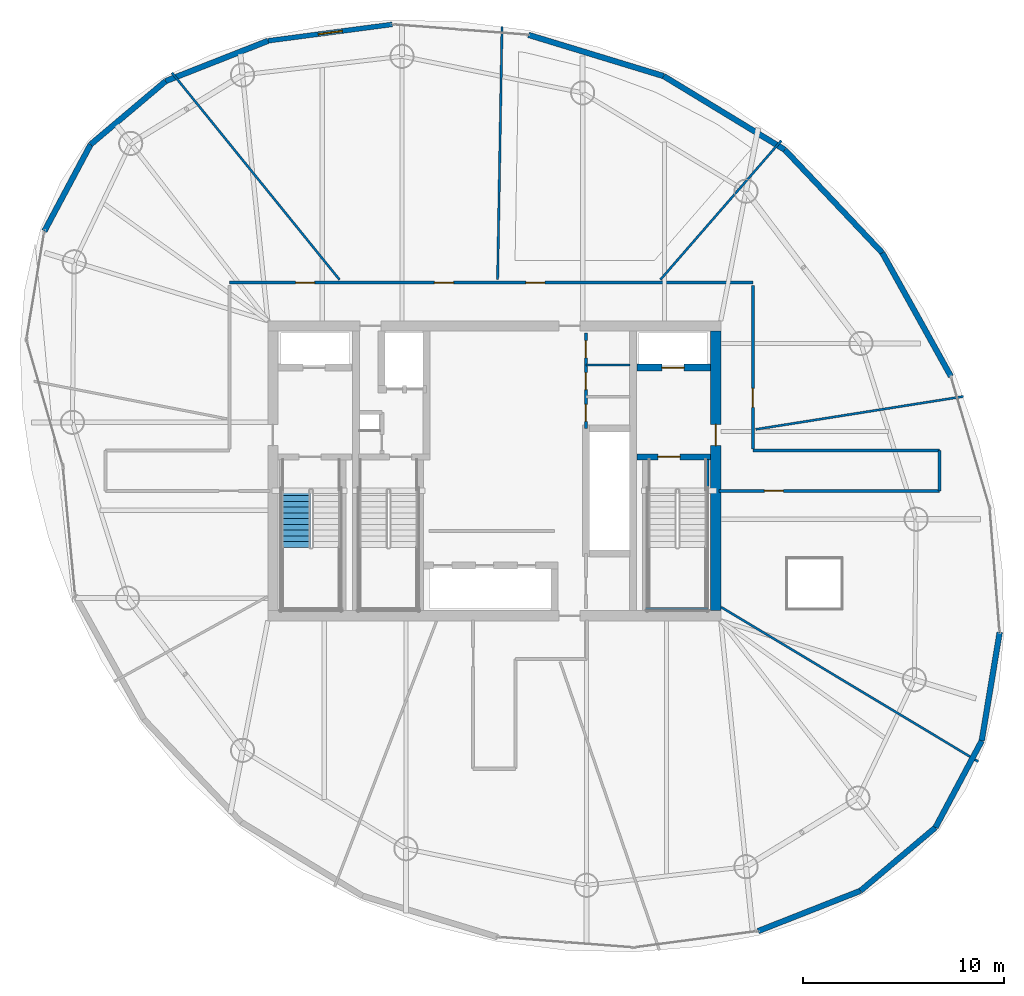
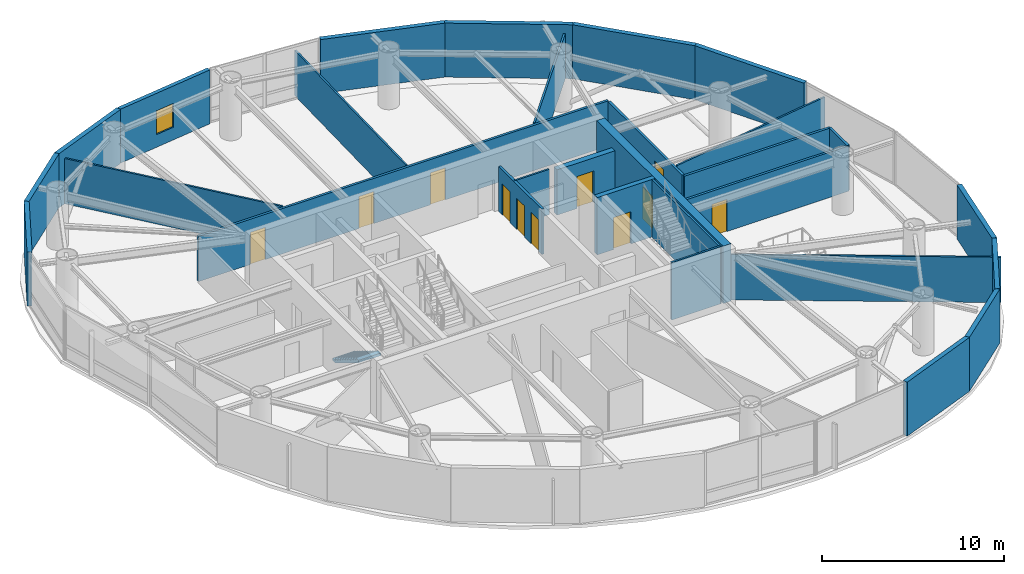
# One storey, part 17 of 21: 29 walls, 11 doors, 1 stair flight, 1 window, 12 openings, 1 element without a shape of its own.
"""IFC4 building model written with IfcOpenShell, lengths in metres."""

from ifc_helpers import new_model, si_unit, direction, frame, frame_2d, origin, place, context, subcontext, project, spatial, polyline, rectangle, outline, extrude, material, layer, layer_set, type_object, element, fill, aggregate, save


model = new_model("IFC4")

# Units and contexts
model_context = context("Model", 3, precision=1e-05, world=origin(), true_north=direction((0.0, 1.0)))
body_context = subcontext(model_context, "Body", "Model", "MODEL_VIEW")
ifc_project = project(units=[si_unit("LENGTHUNIT", "METRE"), si_unit("AREAUNIT", "SQUARE_METRE"), si_unit("VOLUMEUNIT", "CUBIC_METRE"), si_unit("PLANEANGLEUNIT", "RADIAN"), si_unit("MASSUNIT", "GRAM", prefix="KILO")], contexts=[model_context])

# Site, building, storey
site_placement = place(None, origin())
site = spatial("IfcSite", under=ifc_project, at=site_placement, CompositionType="ELEMENT")
building_placement = place(site_placement, origin())
building = spatial("IfcBuilding", under=site, at=building_placement, Name="Bramvorn Convention Spire", CompositionType="ELEMENT")
storey_placement = place(building_placement, frame((0.0, 0.0, 186.60009765625)))
storey = spatial("IfcBuildingStorey", under=building, at=storey_placement, Name="L47", CompositionType="ELEMENT", Elevation=186.60009765625)

# Wall, opening, door
ifc_material_1 = material(Name="Concrete C50/60", Category="concrete")
ifc_layer_1 = layer(ifc_material_1, 0.5)
ifc_layer_set_1 = layer_set([ifc_layer_1], Name="Concrete C50/60 - WL-CORE-500")
wall_type_1 = type_object("IfcWallType", Name="WL-CORE-500", PredefinedType="SHEAR", material=ifc_layer_set_1)
wall_1_placement = place(storey_placement, frame((49.0, 19.050048828125, 0.0), z_axis=(0.0, 0.0, 1.0), x_axis=(0.0, 1.0, 0.0)))
wall_1 = element("IfcWall", 1, at=wall_1_placement, inside=storey, type_object=wall_type_1, Name="L47 East RC core shear wall", PredefinedType="SHEAR", context=body_context, shape_type="SweptSolid", body=[
    extrude(rectangle(XDim=13.89990234375, YDim=0.5, at=frame_2d((6.949951171875, 0.0))), origin(), (0.0, 0.0, 1.0), 3.849853515625),
])
opening_1_placement = place(wall_1_placement, frame((8.199951171875, 0.0, 0.0)))
opening_1 = element("IfcOpeningElement", 2, at=opening_1_placement, cuts=wall_1, Name="Opening DL-105", PredefinedType="OPENING", context=body_context, shape_type="SweptSolid", body=[
    extrude(rectangle(XDim=1.050048828125, YDim=2.14990234375, at=frame_2d((0.52490234375, 1.074951171875))), frame((0.0, 0.260009765625, 0.0), z_axis=(0.0, -1.0, 0.0), x_axis=(1.0, 0.0, 0.0)), (0.0, 0.0, 1.0), 0.52001953125),
])
ifc_material_2 = material(Name="Smoke-Sealed Fire Lobby Timber-Core Door", Category="wood")
door_type_1 = type_object("IfcDoorType", Name="DR-LOBBY-1050", OperationType="NOTDEFINED", PredefinedType="DOOR", material=ifc_material_2)
door_1_placement = place(opening_1_placement, origin())
door_1 = element("IfcDoor", 3, at=door_1_placement, inside=storey, type_object=door_type_1, Name="L47 East Firefighting Lobby corridor door", OperationType="SINGLE_SWING_LEFT", OverallHeight=2.14990234375, OverallWidth=1.050048828125, PredefinedType="DOOR", context=body_context, shape_type="SweptSolid", body=[
    extrude(rectangle(XDim=1.050048828125, YDim=2.14990234375, at=frame_2d((0.52490234375, 1.074951171875))), frame((0.0, 0.02490234375, 0.0), z_axis=(0.0, -1.0, 0.0), x_axis=(1.0, 0.0, 0.0)), (0.0, 0.0, 1.0), 0.050048828125),
])
fill(opening_1, door_1)

ifc_layer_2 = layer(ifc_material_1, 0.35009765625)
ifc_layer_set_2 = layer_set([ifc_layer_2], Name="Concrete C50/60 - WL-CORE-INT-350")
wall_type_2 = type_object("IfcWallType", Name="WL-CORE-INT-350", PredefinedType="SHEAR", material=ifc_layer_set_2)
wall_2_placement = place(storey_placement, frame((45.080078125, 31.1201171875, 0.0), z_axis=(0.0, 0.0, 1.0), x_axis=(1.0, 0.0, 0.0)))
wall_2 = element("IfcWall", 4, at=wall_2_placement, inside=storey, type_object=wall_type_2, Name="L47 FE2 shaft front wall", PredefinedType="SHEAR", context=body_context, shape_type="SweptSolid", body=[
    extrude(rectangle(XDim=3.669921875, YDim=0.35009765625, at=frame_2d((1.8349609375, 0.0))), origin(), (0.0, 0.0, 1.0), 3.034912109375),
])
opening_2_placement = place(wall_2_placement, frame((1.25, 0.0, 0.0)))
opening_2 = element("IfcOpeningElement", 5, at=opening_2_placement, cuts=wall_2, Name="Opening LD-110", PredefinedType="OPENING", context=body_context, shape_type="SweptSolid", body=[
    extrude(rectangle(XDim=1.10009765625, YDim=2.14990234375, at=frame_2d((0.550048828125, 1.074951171875))), frame((0.0, 0.18505859375, 0.0), z_axis=(0.0, -1.0, 0.0), x_axis=(1.0, 0.0, 0.0)), (0.0, 0.0, 1.0), 0.3701171875),
])
ifc_material_3 = material(Name="Firefighting & Service Lift Sliding Landing Door", Category="steel")
door_type_2 = type_object("IfcDoorType", Name="DR-LIFT-LD-1100", OperationType="NOTDEFINED", PredefinedType="DOOR", material=ifc_material_3)
door_2_placement = place(opening_2_placement, origin())
door_2 = element("IfcDoor", 6, at=door_2_placement, inside=storey, type_object=door_type_2, Name="L47 Lift FE2 Sliding Landing Door", OperationType="SLIDING_TO_LEFT", OverallHeight=2.14990234375, OverallWidth=1.10009765625, PredefinedType="DOOR", context=body_context, shape_type="SweptSolid", body=[
    extrude(rectangle(XDim=1.10009765625, YDim=2.14990234375, at=frame_2d((0.550048828125, 1.074951171875))), frame((0.0, 0.02490234375, 0.0), z_axis=(0.0, -1.0, 0.0), x_axis=(1.0, 0.0, 0.0)), (0.0, 0.0, 1.0), 0.050048828125),
])
fill(opening_2, door_2)

# Walls
ifc_material_4 = material(Name="Precast Concrete C40/50 with Bronze Terracotta Rainscreen", Category="masonry")
ifc_layer_3 = layer(ifc_material_4, 0.300048828125)
ifc_layer_set_3 = layer_set([ifc_layer_3], Name="Precast Concrete C40/50 with Bronze Terracotta Rainscreen - WL-EXT-BRONZE-300")
wall_type_3 = type_object("IfcWallType", Name="WL-EXT-BRONZE-300", PredefinedType="SOLIDWALL", material=ifc_layer_set_3)
wall_3_placement = place(storey_placement, frame((62.2109375, 12.587158203125, 0.0), z_axis=(0.0, 0.0, 1.0), x_axis=(-0.470767526519, -0.88225729579, 0.0)))
element("IfcWall", 7, at=wall_3_placement, inside=storey, type_object=wall_type_3, Name="L47 expressed bronze Gothic lancet pier wall 01", PredefinedType="SOLIDWALL", context=body_context, shape_type="SweptSolid", body=[
    extrude(rectangle(XDim=4.87646484375, YDim=0.280029296875, at=frame_2d((2.438232421875, 0.0))), origin(), (0.0, 0.0, 1.0), 3.619873046875),
])
wall_4_placement = place(storey_placement, frame((63.10302734375, 17.978271484375, 0.0), z_axis=(0.0, 0.0, 1.0), x_axis=(-0.163254148623, -0.986584047589, 0.0)))
element("IfcWall", 8, at=wall_4_placement, inside=storey, type_object=wall_type_3, Name="L47 expressed bronze Gothic lancet pier wall 02", PredefinedType="SOLIDWALL", context=body_context, shape_type="SweptSolid", body=[
    extrude(rectangle(XDim=5.46435546875, YDim=0.280029296875, at=frame_2d((2.732177734375, 0.0))), origin(), (0.0, 0.0, 1.0), 3.619873046875),
])
wall_5_placement = place(storey_placement, frame((57.271728515625, 36.82421875, 0.0), z_axis=(0.0, 0.0, 1.0), x_axis=(0.485740406288, -0.874103116171, 0.0)))
element("IfcWall", 9, at=wall_5_placement, inside=storey, type_object=wall_type_3, Name="L47 expressed bronze Gothic lancet pier wall 05", PredefinedType="SOLIDWALL", context=body_context, shape_type="SweptSolid", body=[
    extrude(rectangle(XDim=7.017578125, YDim=0.280029296875, at=frame_2d((3.5087890625, 0.0))), origin(), (0.0, 0.0, 1.0), 3.619873046875),
])
for number, where, z_axis, x_axis, name in (
    (10, (52.430419921875, 41.943115234375, 0.0), (0.0, 0.0, 1.0), (0.687133126729, -0.726531531423, 0.0), "L47 expressed bronze Gothic lancet pier wall 06"),
    (11, (46.410400390625, 45.603759765625, 0.0), (0.0, 0.0, 1.0), (0.854432664207, -0.519562144826, 0.0), "L47 expressed bronze Gothic lancet pier wall 07"),
):
    element("IfcWall", number, at=place(storey_placement, frame(where, z_axis=z_axis, x_axis=x_axis)), inside=storey, type_object=wall_type_3, Name=name, PredefinedType="SOLIDWALL", context=body_context, shape_type="SweptSolid", body=[
        extrude(rectangle(XDim=7.045654296875, YDim=0.280029296875, at=frame_2d((3.52294921875, 0.0))), origin(), (0.0, 0.0, 1.0), 3.619873046875),
    ])
wall_6_placement = place(storey_placement, frame((39.697998046875, 47.65087890625, 0.0), z_axis=(0.0, 0.0, 1.0), x_axis=(0.956506455403, -0.291711159837, 0.0)))
element("IfcWall", 12, at=wall_6_placement, inside=storey, type_object=wall_type_3, Name="L47 expressed bronze Gothic lancet pier wall 08", PredefinedType="SOLIDWALL", context=body_context, shape_type="SweptSolid", body=[
    extrude(rectangle(XDim=7.017578125, YDim=0.280029296875, at=frame_2d((3.5087890625, 0.0))), origin(), (0.0, 0.0, 1.0), 3.619873046875),
])

# Wall, opening, window
wall_7_placement = place(storey_placement, frame((26.760986328125, 47.355224609375, 0.0), z_axis=(0.0, 0.0, 1.0), x_axis=(0.991381672215, 0.131005267052, 0.0)))
wall_7 = element("IfcWall", 13, at=wall_7_placement, inside=storey, type_object=wall_type_3, Name="L47 bronze ceramic-frit spandrel & operable window bay 10", PredefinedType="SOLIDWALL", context=body_context, shape_type="SweptSolid", body=[
    extrude(rectangle(XDim=6.226318359375, YDim=0.239990234375, at=frame_2d((3.11328125, 0.0))), origin(), (0.0, 0.0, 1.0), 3.619873046875),
])
opening_3_placement = place(wall_7_placement, frame((2.51318359375, 0.0, 0.85009765625)))
opening_3 = element("IfcOpeningElement", 14, at=opening_3_placement, cuts=wall_7, Name="Opening WN01", PredefinedType="OPENING", context=body_context, shape_type="SweptSolid", body=[
    extrude(rectangle(XDim=1.199951171875, YDim=1.60009765625, at=frame_2d((0.60009765625, 0.800048828125))), frame((0.0, 0.1298828125, 0.0), z_axis=(0.0, -1.0, 0.0), x_axis=(1.0, 0.0, 0.0)), (0.0, 0.0, 1.0), 0.260009765625),
])
ifc_material_5 = material(Name="Thermally Broken Bronze Aluminium & Triple Low-E Glass", Category="aluminium")
window_type = type_object("IfcWindowType", Name="WN-OP-1200X1600", PartitioningType="SINGLE_PANEL", PredefinedType="WINDOW", material=ifc_material_5)
window_placement = place(opening_3_placement, origin())
window = element("IfcWindow", 15, at=window_placement, inside=storey, type_object=window_type, Name="L47 operable parallel-vent window 10", OverallHeight=1.60009765625, OverallWidth=1.199951171875, PartitioningType="SINGLE_PANEL", PredefinedType="WINDOW", context=body_context, shape_type="SweptSolid", body=[
    extrude(rectangle(XDim=1.199951171875, YDim=1.60009765625, at=frame_2d((0.60009765625, 0.800048828125))), frame((0.0, 0.030029296875, 0.0), z_axis=(0.0, -1.0, 0.0), x_axis=(1.0, 0.0, 0.0)), (0.0, 0.0, 1.0), 0.06005859375),
])
fill(opening_3, window)

# Walls
wall_8_placement = place(storey_placement, frame((21.676513671875, 45.352783203125, 0.0), z_axis=(0.0, 0.0, 1.0), x_axis=(0.930441630327, 0.366440135021, 0.0)))
element("IfcWall", 16, at=wall_8_placement, inside=storey, type_object=wall_type_3, Name="L47 expressed bronze Gothic lancet pier wall 11", PredefinedType="SOLIDWALL", context=body_context, shape_type="SweptSolid", body=[
    extrude(rectangle(XDim=5.464599609375, YDim=0.280029296875, at=frame_2d((2.732421875, 0.0))), origin(), (0.0, 0.0, 1.0), 3.619873046875),
])
wall_9_placement = place(storey_placement, frame((17.950927734375, 42.206298828125, 0.0), z_axis=(0.0, 0.0, 1.0), x_axis=(0.763986040793, 0.645232771543, 0.0)))
element("IfcWall", 17, at=wall_9_placement, inside=storey, type_object=wall_type_3, Name="L47 expressed bronze Gothic lancet pier wall 12", PredefinedType="SOLIDWALL", context=body_context, shape_type="SweptSolid", body=[
    extrude(rectangle(XDim=4.87646484375, YDim=0.280029296875, at=frame_2d((2.438232421875, 0.0))), origin(), (0.0, 0.0, 1.0), 3.619873046875),
])
wall_10_placement = place(storey_placement, frame((15.655517578125, 37.904296875, 0.0), z_axis=(0.0, 0.0, 1.0), x_axis=(0.470749349353, 0.882266994783, 0.0)))
element("IfcWall", 18, at=wall_10_placement, inside=storey, type_object=wall_type_3, Name="L47 expressed bronze Gothic lancet pier wall 13", PredefinedType="SOLIDWALL", context=body_context, shape_type="SweptSolid", body=[
    extrude(rectangle(XDim=4.8759765625, YDim=0.280029296875, at=frame_2d((2.43798828125, 0.0))), origin(), (0.0, 0.0, 1.0), 3.619873046875),
])
wall_11_placement = place(storey_placement, frame((56.18994140625, 5.138427734375, 0.0), z_axis=(0.0, 0.0, 1.0), x_axis=(-0.930435630808, -0.366455368254, 0.0)))
element("IfcWall", 19, at=wall_11_placement, inside=storey, type_object=wall_type_3, Name="L47 expressed bronze Gothic lancet pier wall 23", PredefinedType="SOLIDWALL", context=body_context, shape_type="SweptSolid", body=[
    extrude(rectangle(XDim=5.46435546875, YDim=0.280029296875, at=frame_2d((2.732177734375, 0.0))), origin(), (0.0, 0.0, 1.0), 3.619873046875),
])
wall_12_placement = place(storey_placement, frame((59.915283203125, 8.284912109375, 0.0), z_axis=(0.0, 0.0, 1.0), x_axis=(-0.76396519643, -0.645257451444, 0.0)))
element("IfcWall", 20, at=wall_12_placement, inside=storey, type_object=wall_type_3, Name="L47 expressed bronze Gothic lancet pier wall 24", PredefinedType="SOLIDWALL", context=body_context, shape_type="SweptSolid", body=[
    extrude(rectangle(XDim=4.876220703125, YDim=0.280029296875, at=frame_2d((2.43798828125, 0.0))), origin(), (0.0, 0.0, 1.0), 3.619873046875),
])
ifc_material_6 = material(Name="Lightweight En-Suite & Wet-Wall Partition", Category="gypsum")
ifc_layer_4 = layer(ifc_material_6, 0.110107421875)
ifc_layer_set_4 = layer_set([ifc_layer_4], Name="Lightweight En-Suite & Wet-Wall Partition - WL-PART-110")
wall_type_4 = type_object("IfcWallType", Name="WL-PART-110", PredefinedType="PARTITIONING", material=ifc_layer_set_4)
wall_13_placement = place(storey_placement, frame((42.550048828125, 31.260009765625, 0.0), z_axis=(0.0, 0.0, 1.0), x_axis=(1.0, 0.0, 0.0)))
element("IfcWall", 21, at=wall_13_placement, inside=storey, type_object=wall_type_4, Name="L47 KC NE div 2", PredefinedType="PARTITIONING", context=body_context, shape_type="SweptSolid", body=[
    extrude(rectangle(XDim=2.199951171875, YDim=0.110107421875, at=frame_2d((1.10009765625, 0.0))), origin(), (0.0, 0.0, 1.0), 3.034912109375),
])
wall_14_placement = place(storey_placement, frame((50.989990234375, 28.057373046875, 0.0), z_axis=(0.0, 0.0, 1.0), x_axis=(0.987688162436, 0.156435589889, 0.0)))
element("IfcWall", 22, at=wall_14_placement, inside=storey, type_object=wall_type_4, Name="L47 Tenant suite partition 1", PredefinedType="PARTITIONING", context=body_context, shape_type="SweptSolid", body=[
    extrude(rectangle(XDim=10.4423828125, YDim=0.110107421875, at=frame_2d((5.22119140625, 0.0))), origin(), (0.0, 0.0, 1.0), 3.034912109375),
])
wall_15_placement = place(storey_placement, frame((46.24951171875, 35.489990234375, 0.0), z_axis=(0.0, 0.0, 1.0), x_axis=(0.656070387191, 0.75469970654, 0.0)))
element("IfcWall", 23, at=wall_15_placement, inside=storey, type_object=wall_type_4, Name="L47 Tenant suite partition 2", PredefinedType="PARTITIONING", context=body_context, shape_type="SweptSolid", body=[
    extrude(rectangle(XDim=9.1513671875, YDim=0.110107421875, at=frame_2d((4.57568359375, 0.0))), origin(), (0.0, 0.0, 1.0), 3.034912109375),
])
wall_16_placement = place(storey_placement, frame((38.16552734375, 35.489990234375, 0.0), z_axis=(0.0, 0.0, 1.0), x_axis=(0.017473474315, 0.999847327193, 0.0)))
element("IfcWall", 24, at=wall_16_placement, inside=storey, type_object=wall_type_4, Name="L47 Tenant suite partition 3", PredefinedType="PARTITIONING", context=body_context, shape_type="SweptSolid", body=[
    extrude(rectangle(XDim=12.5888671875, YDim=0.110107421875, at=frame_2d((6.29443359375, 0.0))), origin(), (0.0, 0.0, 1.0), 3.034912109375),
])
wall_17_placement = place(storey_placement, frame((30.315185546875, 35.489990234375, 0.0), z_axis=(0.0, 0.0, 1.0), x_axis=(-0.629321357583, 0.777145178773, 0.0)))
element("IfcWall", 25, at=wall_17_placement, inside=storey, type_object=wall_type_4, Name="L47 Tenant suite partition 4", PredefinedType="PARTITIONING", context=body_context, shape_type="SweptSolid", body=[
    extrude(rectangle(XDim=13.232421875, YDim=0.110107421875, at=frame_2d((6.6162109375, 0.0))), origin(), (0.0, 0.0, 1.0), 3.034912109375),
])
wall_18_placement = place(storey_placement, frame((49.27001953125, 19.228271484375, 0.0), z_axis=(0.0, 0.0, 1.0), x_axis=(0.857170387161, -0.515032938145, 0.0)))
element("IfcWall", 26, at=wall_18_placement, inside=storey, type_object=wall_type_4, Name="L47 Tenant suite partition 9", PredefinedType="PARTITIONING", context=body_context, shape_type="SweptSolid", body=[
    extrude(rectangle(XDim=14.901611328125, YDim=0.110107421875, at=frame_2d((7.45068359375, 0.0))), origin(), (0.0, 0.0, 1.0), 3.034912109375),
])

# Wall, openings, doors
ifc_material_7 = material(Name="Acoustic Metal-Stud Tenant/Corridor Partition", Category="gypsum")
ifc_layer_5 = layer(ifc_material_7, 0.14990234375)
ifc_layer_set_5 = layer_set([ifc_layer_5], Name="Acoustic Metal-Stud Tenant/Corridor Partition - WL-PART-150")
wall_type_5 = type_object("IfcWallType", Name="WL-PART-150", PredefinedType="PARTITIONING", material=ifc_layer_set_5)
wall_19_placement = place(storey_placement, frame((42.550048828125, 28.10009765625, 0.0), z_axis=(0.0, 0.0, 1.0), x_axis=(0.0, 1.0, 0.0)))
wall_19 = element("IfcWall", 27, at=wall_19_placement, inside=storey, type_object=wall_type_5, Name="L47 KC NE wall", PredefinedType="PARTITIONING", context=body_context, shape_type="SweptSolid", body=[
    extrude(rectangle(XDim=4.75, YDim=0.14990234375, at=frame_2d((2.375, 0.0))), origin(), (0.0, 0.0, 1.0), 3.034912109375),
])
opening_4_placement = place(wall_19_placement, frame((0.35009765625, 0.0, 0.0)))
opening_4 = element("IfcOpeningElement", 28, at=opening_4_placement, cuts=wall_19, Name="Opening DC-085", PredefinedType="OPENING", context=body_context, shape_type="SweptSolid", body=[
    extrude(rectangle(XDim=0.85009765625, YDim=2.10009765625, at=frame_2d((0.425048828125, 1.050048828125))), frame((0.0, 0.0849609375, 0.0), z_axis=(0.0, -1.0, 0.0), x_axis=(1.0, 0.0, 0.0)), (0.0, 0.0, 1.0), 0.169921875),
])
opening_5_placement = place(wall_19_placement, frame((1.929931640625, 0.0, 0.0)))
opening_5 = element("IfcOpeningElement", 29, at=opening_5_placement, cuts=wall_19, Name="Opening DC-085", PredefinedType="OPENING", context=body_context, shape_type="SweptSolid", body=[
    extrude(rectangle(XDim=0.85009765625, YDim=2.10009765625, at=frame_2d((0.425048828125, 1.050048828125))), frame((0.0, 0.0849609375, 0.0), z_axis=(0.0, -1.0, 0.0), x_axis=(1.0, 0.0, 0.0)), (0.0, 0.0, 1.0), 0.169921875),
])
opening_6_placement = place(wall_19_placement, frame((3.510009765625, 0.0, 0.0)))
opening_6 = element("IfcOpeningElement", 30, at=opening_6_placement, cuts=wall_19, Name="Opening DC-085", PredefinedType="OPENING", context=body_context, shape_type="SweptSolid", body=[
    extrude(rectangle(XDim=0.85009765625, YDim=2.10009765625, at=frame_2d((0.425048828125, 1.050048828125))), frame((0.0, 0.0849609375, 0.0), z_axis=(0.0, -1.0, 0.0), x_axis=(1.0, 0.0, 0.0)), (0.0, 0.0, 1.0), 0.169921875),
])
ifc_material_8 = material(Name="Fire-Rated Core Washroom & IDF Door", Category="wood")
door_type_3 = type_object("IfcDoorType", Name="DR-CORE-850", OperationType="NOTDEFINED", PredefinedType="DOOR", material=ifc_material_8)
door_3_placement = place(opening_4_placement, origin())
door_3 = element("IfcDoor", 31, at=door_3_placement, inside=storey, type_object=door_type_3, Name="L47 Accessible Core Restroom door", OperationType="SINGLE_SWING_LEFT", OverallHeight=2.10009765625, OverallWidth=0.85009765625, PredefinedType="DOOR", context=body_context, shape_type="SweptSolid", body=[
    extrude(rectangle(XDim=0.85009765625, YDim=2.10009765625, at=frame_2d((0.425048828125, 1.050048828125))), frame((0.0, 0.02490234375, 0.0), z_axis=(0.0, -1.0, 0.0), x_axis=(1.0, 0.0, 0.0)), (0.0, 0.0, 1.0), 0.050048828125),
])
fill(opening_4, door_3)
door_4_placement = place(opening_5_placement, origin())
door_4 = element("IfcDoor", 32, at=door_4_placement, inside=storey, type_object=door_type_3, Name="L47 Tenant Pantry & Copy Centre door", OperationType="SINGLE_SWING_LEFT", OverallHeight=2.10009765625, OverallWidth=0.85009765625, PredefinedType="DOOR", context=body_context, shape_type="SweptSolid", body=[
    extrude(rectangle(XDim=0.85009765625, YDim=2.10009765625, at=frame_2d((0.425048828125, 1.050048828125))), frame((0.0, 0.02490234375, 0.0), z_axis=(0.0, -1.0, 0.0), x_axis=(1.0, 0.0, 0.0)), (0.0, 0.0, 1.0), 0.050048828125),
])
fill(opening_5, door_4)
door_5_placement = place(opening_6_placement, origin())
door_5 = element("IfcDoor", 33, at=door_5_placement, inside=storey, type_object=door_type_3, Name="L47 Core Comms Closet door", OperationType="SINGLE_SWING_LEFT", OverallHeight=2.10009765625, OverallWidth=0.85009765625, PredefinedType="DOOR", context=body_context, shape_type="SweptSolid", body=[
    extrude(rectangle(XDim=0.85009765625, YDim=2.10009765625, at=frame_2d((0.425048828125, 1.050048828125))), frame((0.0, 0.02490234375, 0.0), z_axis=(0.0, -1.0, 0.0), x_axis=(1.0, 0.0, 0.0)), (0.0, 0.0, 1.0), 0.050048828125),
])
fill(opening_6, door_5)

wall_20_placement = place(storey_placement, frame((24.85009765625, 35.35009765625, 0.0), z_axis=(0.0, 0.0, 1.0), x_axis=(1.0, 0.0, 0.0)))
wall_20 = element("IfcWall", 34, at=wall_20_placement, inside=storey, type_object=wall_type_5, Name="L47 North gallery wall", PredefinedType="PARTITIONING", context=body_context, shape_type="SweptSolid", body=[
    extrude(rectangle(XDim=26.0, YDim=0.14990234375, at=frame_2d((13.0, 0.0))), origin(), (0.0, 0.0, 1.0), 3.034912109375),
])
opening_7_placement = place(wall_20_placement, frame((14.714599609375, 0.0, 0.0)))
opening_7 = element("IfcOpeningElement", 35, at=opening_7_placement, cuts=wall_20, Name="Opening DH-095", PredefinedType="OPENING", context=body_context, shape_type="SweptSolid", body=[
    extrude(rectangle(XDim=0.949951171875, YDim=2.14990234375, at=frame_2d((0.47509765625, 1.074951171875))), frame((0.0, 0.0849609375, 0.0), z_axis=(0.0, -1.0, 0.0), x_axis=(1.0, 0.0, 0.0)), (0.0, 0.0, 1.0), 0.169921875),
])
opening_8_placement = place(wall_20_placement, frame((10.180908203125, 0.0, 0.0)))
opening_8 = element("IfcOpeningElement", 36, at=opening_8_placement, cuts=wall_20, Name="Opening DH-095", PredefinedType="OPENING", context=body_context, shape_type="SweptSolid", body=[
    extrude(rectangle(XDim=0.949951171875, YDim=2.14990234375, at=frame_2d((0.47509765625, 1.074951171875))), frame((0.0, 0.0849609375, 0.0), z_axis=(0.0, -1.0, 0.0), x_axis=(1.0, 0.0, 0.0)), (0.0, 0.0, 1.0), 0.169921875),
])
opening_9_placement = place(wall_20_placement, frame((3.280517578125, 0.0, 0.0)))
opening_9 = element("IfcOpeningElement", 37, at=opening_9_placement, cuts=wall_20, Name="Opening DH-095", PredefinedType="OPENING", context=body_context, shape_type="SweptSolid", body=[
    extrude(rectangle(XDim=0.949951171875, YDim=2.14990234375, at=frame_2d((0.47509765625, 1.074951171875))), frame((0.0, 0.0849609375, 0.0), z_axis=(0.0, -1.0, 0.0), x_axis=(1.0, 0.0, 0.0)), (0.0, 0.0, 1.0), 0.169921875),
])
ifc_material_9 = material(Name="Solid-Core Acoustic Guestroom Entry Door", Category="wood")
door_type_4 = type_object("IfcDoorType", Name="DR-HOTEL-950", OperationType="NOTDEFINED", PredefinedType="DOOR", material=ifc_material_9)
door_6_placement = place(opening_7_placement, origin())
door_6 = element("IfcDoor", 38, at=door_6_placement, inside=storey, type_object=door_type_4, Name="L47 Conference Meeting Room 2 2 door", OperationType="SINGLE_SWING_LEFT", OverallHeight=2.14990234375, OverallWidth=0.949951171875, PredefinedType="DOOR", context=body_context, shape_type="SweptSolid", body=[
    extrude(rectangle(XDim=0.949951171875, YDim=2.14990234375, at=frame_2d((0.47509765625, 1.074951171875))), frame((0.0, 0.02490234375, 0.0), z_axis=(0.0, -1.0, 0.0), x_axis=(1.0, 0.0, 0.0)), (0.0, 0.0, 1.0), 0.050048828125),
])
fill(opening_7, door_6)
door_7_placement = place(opening_8_placement, origin())
door_7 = element("IfcDoor", 39, at=door_7_placement, inside=storey, type_object=door_type_4, Name="L47 Conference Meeting Room 3 3 door", OperationType="SINGLE_SWING_RIGHT", OverallHeight=2.14990234375, OverallWidth=0.949951171875, PredefinedType="DOOR", context=body_context, shape_type="SweptSolid", body=[
    extrude(rectangle(XDim=0.949951171875, YDim=2.14990234375, at=frame_2d((0.47509765625, 1.074951171875))), frame((0.0, 0.02490234375, 0.0), z_axis=(0.0, -1.0, 0.0), x_axis=(1.0, 0.0, 0.0)), (0.0, 0.0, 1.0), 0.050048828125),
])
fill(opening_8, door_7)
door_8_placement = place(opening_9_placement, origin())
door_8 = element("IfcDoor", 40, at=door_8_placement, inside=storey, type_object=door_type_4, Name="L47 Sky Garden Lounge door", OperationType="SINGLE_SWING_LEFT", OverallHeight=2.14990234375, OverallWidth=0.949951171875, PredefinedType="DOOR", context=body_context, shape_type="SweptSolid", body=[
    extrude(rectangle(XDim=0.949951171875, YDim=2.14990234375, at=frame_2d((0.47509765625, 1.074951171875))), frame((0.0, 0.02490234375, 0.0), z_axis=(0.0, -1.0, 0.0), x_axis=(1.0, 0.0, 0.0)), (0.0, 0.0, 1.0), 0.050048828125),
])
fill(opening_9, door_8)

# Wall, opening, door
wall_21_placement = place(storey_placement, frame((50.85009765625, 27.080078125, 0.0), z_axis=(0.0, 0.0, 1.0), x_axis=(0.0, 1.0, 0.0)))
wall_21 = element("IfcWall", 41, at=wall_21_placement, inside=storey, type_object=wall_type_5, Name="L47 NE gallery cheek", PredefinedType="PARTITIONING", context=body_context, shape_type="SweptSolid", body=[
    extrude(rectangle(XDim=8.119873046875, YDim=0.14990234375, at=frame_2d((4.06005859375, 0.0))), origin(), (0.0, 0.0, 1.0), 3.034912109375),
])
opening_10_placement = place(wall_21_placement, frame((2.0634765625, 0.0, 0.0)))
opening_10 = element("IfcOpeningElement", 42, at=opening_10_placement, cuts=wall_21, Name="Opening DH-095", PredefinedType="OPENING", context=body_context, shape_type="SweptSolid", body=[
    extrude(rectangle(XDim=0.949951171875, YDim=2.14990234375, at=frame_2d((0.47509765625, 1.074951171875))), frame((0.0, 0.0849609375, 0.0), z_axis=(0.0, -1.0, 0.0), x_axis=(1.0, 0.0, 0.0)), (0.0, 0.0, 1.0), 0.169921875),
])
door_9_placement = place(opening_10_placement, origin())
door_9 = element("IfcDoor", 43, at=door_9_placement, inside=storey, type_object=door_type_4, Name="L47 Conference Meeting Room 1 1 door", OperationType="SINGLE_SWING_RIGHT", OverallHeight=2.14990234375, OverallWidth=0.949951171875, PredefinedType="DOOR", context=body_context, shape_type="SweptSolid", body=[
    extrude(rectangle(XDim=0.949951171875, YDim=2.14990234375, at=frame_2d((0.47509765625, 1.074951171875))), frame((0.0, 0.02490234375, 0.0), z_axis=(0.0, -1.0, 0.0), x_axis=(1.0, 0.0, 0.0)), (0.0, 0.0, 1.0), 0.050048828125),
])
fill(opening_10, door_9)

# Wall
wall_22_placement = place(storey_placement, frame((50.85009765625, 27.0, 0.0), z_axis=(0.0, 0.0, 1.0), x_axis=(1.0, 0.0, 0.0)))
element("IfcWall", 44, at=wall_22_placement, inside=storey, type_object=wall_type_5, Name="L47 East wing spine north wall", PredefinedType="PARTITIONING", context=body_context, shape_type="SweptSolid", body=[
    extrude(rectangle(XDim=9.2578125, YDim=0.14990234375, at=frame_2d((4.62890625, 0.0))), origin(), (0.0, 0.0, 1.0), 3.034912109375),
])

# Wall, opening, door
wall_23_placement = place(storey_placement, frame((49.14990234375, 25.0, 0.0), z_axis=(0.0, 0.0, 1.0), x_axis=(1.0, 0.0, 0.0)))
wall_23 = element("IfcWall", 45, at=wall_23_placement, inside=storey, type_object=wall_type_5, Name="L47 East wing spine south wall", PredefinedType="PARTITIONING", context=body_context, shape_type="SweptSolid", body=[
    extrude(rectangle(XDim=10.9580078125, YDim=0.14990234375, at=frame_2d((5.47900390625, 0.0))), origin(), (0.0, 0.0, 1.0), 3.034912109375),
])
opening_11_placement = place(wall_23_placement, frame((2.264404296875, 0.0, 0.0)))
opening_11 = element("IfcOpeningElement", 46, at=opening_11_placement, cuts=wall_23, Name="Opening DH-095", PredefinedType="OPENING", context=body_context, shape_type="SweptSolid", body=[
    extrude(rectangle(XDim=0.949951171875, YDim=2.14990234375, at=frame_2d((0.47509765625, 1.074951171875))), frame((0.0, 0.0849609375, 0.0), z_axis=(0.0, -1.0, 0.0), x_axis=(1.0, 0.0, 0.0)), (0.0, 0.0, 1.0), 0.169921875),
])
door_10_placement = place(opening_11_placement, origin())
door_10 = element("IfcDoor", 47, at=door_10_placement, inside=storey, type_object=door_type_4, Name="L47 Tenant Briefing Room 9 door", OperationType="SINGLE_SWING_LEFT", OverallHeight=2.14990234375, OverallWidth=0.949951171875, PredefinedType="DOOR", context=body_context, shape_type="SweptSolid", body=[
    extrude(rectangle(XDim=0.949951171875, YDim=2.14990234375, at=frame_2d((0.47509765625, 1.074951171875))), frame((0.0, 0.02490234375, 0.0), z_axis=(0.0, -1.0, 0.0), x_axis=(1.0, 0.0, 0.0)), (0.0, 0.0, 1.0), 0.050048828125),
])
fill(opening_11, door_10)

# Wall
wall_24_placement = place(storey_placement, frame((60.10791015625, 25.0, 0.0), z_axis=(0.0, 0.0, 1.0), x_axis=(0.0, 1.0, 0.0)))
element("IfcWall", 48, at=wall_24_placement, inside=storey, type_object=wall_type_5, Name="L47 East wing spine end wall", PredefinedType="PARTITIONING", context=body_context, shape_type="SweptSolid", body=[
    extrude(rectangle(XDim=2.0, YDim=0.14990234375, at=frame_2d((1.0, 0.0))), origin(), (0.0, 0.0, 1.0), 3.034912109375),
])

# Wall, opening, door
ifc_layer_6 = layer(ifc_material_1, 0.300048828125)
ifc_layer_set_6 = layer_set([ifc_layer_6], Name="Concrete C50/60 - WL-POD-STAIR-300")
wall_type_6 = type_object("IfcWallType", Name="WL-POD-STAIR-300", PredefinedType="SHEAR", material=ifc_layer_set_6)
wall_25_placement = place(storey_placement, frame((45.080078125, 26.68994140625, 0.0), z_axis=(0.0, 0.0, 1.0), x_axis=(1.0, 0.0, 0.0)))
wall_25 = element("IfcWall", 49, at=wall_25_placement, inside=storey, type_object=wall_type_6, Name="L47 ST2 north fire wall", PredefinedType="SHEAR", context=body_context, shape_type="SweptSolid", body=[
    extrude(rectangle(XDim=3.669921875, YDim=0.300048828125, at=frame_2d((1.8349609375, 0.0))), origin(), (0.0, 0.0, 1.0), 3.849853515625),
])
opening_12_placement = place(wall_25_placement, frame((1.050048828125, 0.0, 0.0)))
opening_12 = element("IfcOpeningElement", 50, at=opening_12_placement, cuts=wall_25, Name="Opening DS-110", PredefinedType="OPENING", context=body_context, shape_type="SweptSolid", body=[
    extrude(rectangle(XDim=1.10009765625, YDim=2.14990234375, at=frame_2d((0.550048828125, 1.074951171875))), frame((0.0, 0.159912109375, 0.0), z_axis=(0.0, -1.0, 0.0), x_axis=(1.0, 0.0, 0.0)), (0.0, 0.0, 1.0), 0.320068359375),
])
ifc_material_10 = material(Name="Fire-Rated Hollow Steel Stairwell Door", Category="steel")
door_type_5 = type_object("IfcDoorType", Name="DR-STAIR-1100", OperationType="NOTDEFINED", PredefinedType="DOOR", material=ifc_material_10)
door_11_placement = place(opening_12_placement, origin())
door_11 = element("IfcDoor", 51, at=door_11_placement, inside=storey, type_object=door_type_5, Name="L47 Stair ST2 fire door", OperationType="SINGLE_SWING_RIGHT", OverallHeight=2.14990234375, OverallWidth=1.10009765625, PredefinedType="DOOR", context=body_context, shape_type="SweptSolid", body=[
    extrude(rectangle(XDim=1.10009765625, YDim=2.14990234375, at=frame_2d((0.550048828125, 1.074951171875))), frame((0.0, 0.02490234375, 0.0), z_axis=(0.0, -1.0, 0.0), x_axis=(1.0, 0.0, 0.0)), (0.0, 0.0, 1.0), 0.050048828125),
])
fill(opening_12, door_11)

# Walls
ifc_layer_7 = layer(ifc_material_1, 0.1201171875)
ifc_layer_set_7 = layer_set([ifc_layer_7], Name="Concrete C50/60 - WL-STAIR-RC-120")
wall_type_7 = type_object("IfcWallType", Name="WL-STAIR-RC-120", PredefinedType="SHEAR", material=ifc_layer_set_7)
wall_26_placement = place(storey_placement, frame((48.60498046875, 19.10009765625, 0.0), z_axis=(0.0, 0.0, 1.0), x_axis=(0.0, 1.0, 0.0)))
element("IfcWall", 52, at=wall_26_placement, inside=storey, type_object=wall_type_7, Name="L47 ST2 east bearing shear wall", PredefinedType="SHEAR", context=body_context, shape_type="SweptSolid", body=[
    extrude(rectangle(XDim=7.449951171875, YDim=0.1201171875, at=frame_2d((3.72509765625, 0.0))), origin(), (0.0, 0.0, 1.0), 3.849853515625),
])
wall_27_placement = place(storey_placement, frame((45.510009765625, 19.159912109375, 0.0), z_axis=(0.0, 0.0, 1.0), x_axis=(1.0, 0.0, 0.0)))
element("IfcWall", 53, at=wall_27_placement, inside=storey, type_object=wall_type_7, Name="L47 ST2 south bearing shear wall", PredefinedType="SHEAR", context=body_context, shape_type="SweptSolid", body=[
    extrude(rectangle(XDim=3.094970703125, YDim=0.1201171875, at=frame_2d((1.54736328125, 0.0))), origin(), (0.0, 0.0, 1.0), 3.849853515625),
])

# Stair, stair flight
ifc_material_11 = material(Name="Concrete C40/50 Precast Stair", Category="concrete")
stair_type = type_object("IfcStairType", Name="ST-TOWER-1550", PredefinedType="HALF_TURN_STAIR", material=ifc_material_11)
stair_placement = place(storey_placement, origin())
stair = element("IfcStair", 54, at=stair_placement, inside=storey, type_object=stair_type, Name="L47 Protected Exit Stair ST1", PredefinedType="HALF_TURN_STAIR")
ifc_material_12 = material(Name="Concrete C40/50 Precast Stair Flight", Category="concrete")
stair_flight_type = type_object("IfcStairFlightType", Name="STF-TOWER-1550", PredefinedType="STRAIGHT", material=ifc_material_12)
stair_flight_placement = place(storey_placement, frame((28.155029296875, 25.050048828125, 0.0), z_axis=(0.0, 0.0, 1.0), x_axis=(0.0, -1.0, 0.0)))
stair_flight = element("IfcStairFlight", 55, at=stair_flight_placement, type_object=stair_flight_type, Name="ST1 flight 1", NumberOfRisers=11, NumberOfTreads=10, PredefinedType="STRAIGHT", RiserHeight=0.175, TreadLength=0.285, context=body_context, shape_type="SweptSolid", body=[
    extrude(outline(polyline([(0.0, 0.0), (0.0, 0.175048828125), (0.284912109375, 0.175048828125), (0.284912109375, 0.35009765625), (0.570068359375, 0.35009765625), (0.570068359375, 0.52490234375), (0.85498046875, 0.52490234375), (0.85498046875, 0.699951171875), (1.139892578125, 0.699951171875), (1.139892578125, 0.875), (1.425048828125, 0.875), (1.425048828125, 1.050048828125), (1.7099609375, 1.050048828125), (1.7099609375, 1.22509765625), (1.9951171875, 1.22509765625), (1.9951171875, 1.39990234375), (2.280029296875, 1.39990234375), (2.280029296875, 1.574951171875), (2.56494140625, 1.574951171875), (2.56494140625, 1.75), (2.85009765625, 1.75), (2.85009765625, 1.925048828125), (2.85009765625, 1.573974609375), (0.286376953125, 0.0), (0.0, 0.0)])), frame((0.0, 0.705078125, 0.0), z_axis=(0.0, -1.0, 0.0), x_axis=(1.0, 0.0, 0.0)), (0.0, 0.0, 1.0), 1.409912109375),
])
aggregate(stair, [stair_flight])

save(model, "model.ifc")
